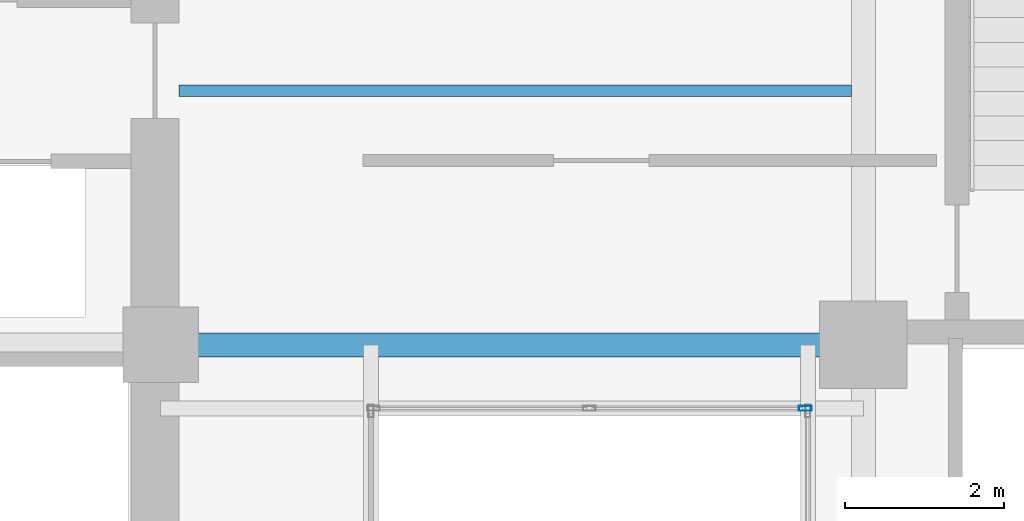
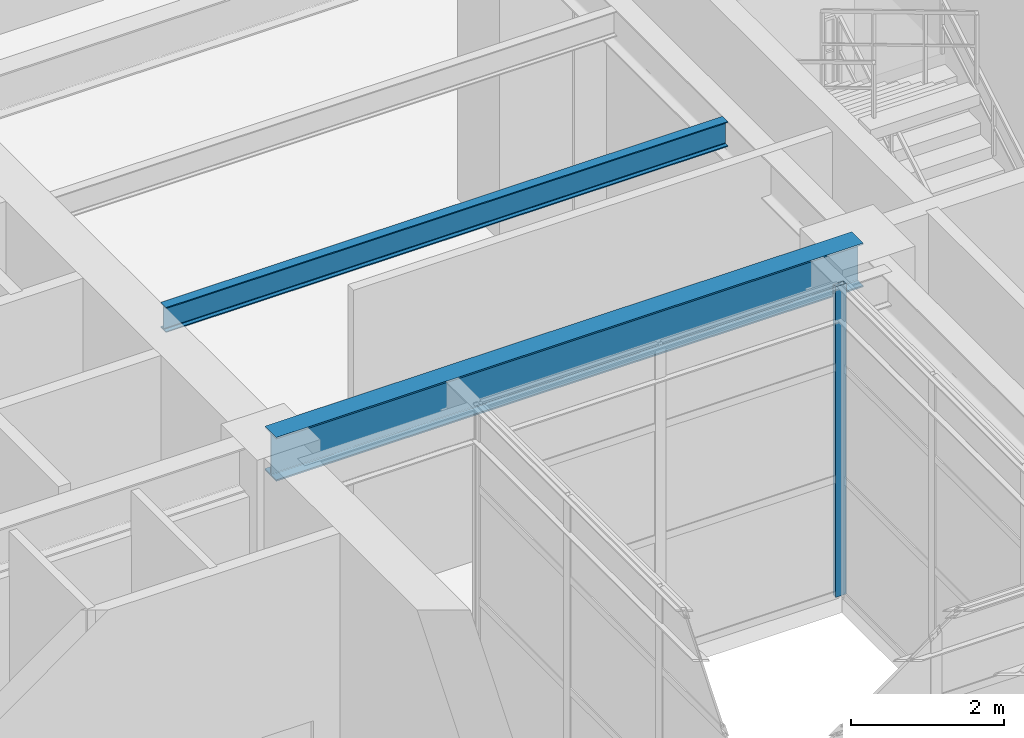
# One storey, part 3 of 13: 2 beams, 1 member, 1 element without a shape of its own.
"""IFC4 building model written with IfcOpenShell, lengths in metres."""

from ifc_helpers import new_model, si_unit, direction, frame, origin, origin_2d, place, context, subcontext, project, spatial, hollow_rectangle, i_section, extrude, material, layer, layer_set, material_profile, profile_set, type_object, element, aggregate, save


model = new_model("IFC4")

# Units and contexts
model_context = context("Model", 3, precision=1e-05, world=origin(), true_north=direction((0.0, 1.0)))
body_context = subcontext(model_context, "Body", "Model", "MODEL_VIEW")
ifc_project = project(units=[si_unit("LENGTHUNIT", "METRE"), si_unit("AREAUNIT", "SQUARE_METRE"), si_unit("VOLUMEUNIT", "CUBIC_METRE"), si_unit("PLANEANGLEUNIT", "RADIAN"), si_unit("MASSUNIT", "GRAM", prefix="KILO")], contexts=[model_context])

# Site, building, storey
site_placement = place(None, origin())
site = spatial("IfcSite", under=ifc_project, at=site_placement, CompositionType="ELEMENT")
building_placement = place(site_placement, origin())
building = spatial("IfcBuilding", under=site, at=building_placement, Name="Kundavana Baori Tower", CompositionType="ELEMENT")
storey_placement = place(building_placement, frame((0.0, 0.0, 98.800048828125)))
storey = spatial("IfcBuildingStorey", under=building, at=storey_placement, Name="L23", CompositionType="ELEMENT", Elevation=98.800048828125)

# Beams
ifc_material_1 = material(Name="Structural Steel S355JR", Category="steel")
ifc_material_profile_1 = material_profile(ifc_material_1, i_section(OverallWidth=0.139892578125, OverallDepth=0.39990234375, WebThickness=0.0087890625, FlangeThickness=0.01611328125, FilletRadius=0.013916015625, at=origin_2d()), Name="ISMB 400")
ifc_profile_set_1 = profile_set([ifc_material_profile_1], Name="Structural Steel S355JR")
beam_type_1 = type_object("IfcBeamType", Name="BM-JST-400", PredefinedType="JOIST", material=ifc_profile_set_1)
beam_1_placement = place(storey_placement, frame((25.179931640625, 36.199951171875, 4.75), z_axis=(1.0, 0.0, 0.0), x_axis=(0.0, 1.0, 0.0)))
element("IfcBeam", 1, at=beam_1_placement, inside=storey, type_object=beam_type_1, Name="L23 Central Bay Composite Floor Joist C3", PredefinedType="JOIST", context=body_context, shape_type="SweptSolid", body=[
    extrude(i_section(OverallWidth=0.139892578125, OverallDepth=0.39990234375, WebThickness=0.0087890625, FlangeThickness=0.01611328125, FilletRadius=0.013916015625, at=origin_2d()), origin(), (0.0, 0.0, 1.0), 8.469970703125),
])
ifc_material_2 = material(Name="Structural Steel S355JR", Category="steel")
ifc_material_profile_2 = material_profile(ifc_material_2, i_section(OverallWidth=0.300048828125, OverallDepth=0.699951171875, WebThickness=0.014404296875, FlangeThickness=0.02392578125, FilletRadius=0.02392578125, at=origin_2d()), Name="NPB 700x300x170")
ifc_profile_set_2 = profile_set([ifc_material_profile_2], Name="Structural Steel S355JR")
beam_type_2 = type_object("IfcBeamType", Name="BM-ST-700", PredefinedType="BEAM", material=ifc_profile_set_2)
beam_2_placement = place(storey_placement, frame((24.949951171875, 33.0, 4.599853515625), z_axis=(1.0, 0.0, 0.0), x_axis=(0.0, 1.0, 0.0)))
element("IfcBeam", 2, at=beam_2_placement, inside=storey, type_object=beam_type_2, Name="L23 Primary Grid Girder GX-3-2", PredefinedType="BEAM", context=body_context, shape_type="SweptSolid", body=[
    extrude(i_section(OverallWidth=0.300048828125, OverallDepth=0.699951171875, WebThickness=0.014404296875, FlangeThickness=0.02392578125, FilletRadius=0.02392578125, at=origin_2d()), origin(), (0.0, 0.0, 1.0), 8.85009765625),
])

# Curtain wall, member
ifc_material_3 = material(Name="Thermally Broken Anodised Aluminium Framing", Category="aluminium")
ifc_layer = layer(ifc_material_3, 0.205078125, Name="CW-SYS-4")
ifc_layer_set = layer_set([ifc_layer], Name="Thermally Broken Anodised Aluminium Framing")
curtain_wall_type = type_object("IfcCurtainWallType", Name="CW-SYS-4", PredefinedType="NOTDEFINED", material=ifc_layer_set)
curtain_wall_placement = place(storey_placement, origin())
curtain_wall = element("IfcCurtainWall", 3, at=curtain_wall_placement, inside=storey, type_object=curtain_wall_type, Name="L23 Atrium Glazed Curtain Wall N", PredefinedType="NOTDEFINED")
ifc_material_4 = material(Name="Thermally Broken Anodised Aluminium Framing", Category="aluminium")
ifc_material_profile_3 = material_profile(ifc_material_4, hollow_rectangle(XDim=0.06494140625, YDim=0.159912109375, WallThickness=0.00390625, at=origin_2d()), Name="CW-MULL-160")
ifc_profile_set_3 = profile_set([ifc_material_profile_3], Name="Thermally Broken Anodised Aluminium Framing")
member_type = type_object("IfcMemberType", Name="CW-MULL-160", PredefinedType="MULLION", material=ifc_profile_set_3)
member_placement = place(storey_placement, frame((33.0673828125, 32.199951171875, 0.0), z_axis=(0.0, 0.0, 1.0), x_axis=(0.0, -1.0, 0.0)))
member = element("IfcMember", 4, at=member_placement, type_object=member_type, Name="CW4 mullion 1", PredefinedType="MULLION", context=body_context, shape_type="SweptSolid", body=[
    extrude(hollow_rectangle(XDim=0.06494140625, YDim=0.159912109375, WallThickness=0.00390625, at=origin_2d()), origin(), (0.0, 0.0, 1.0), 4.949951171875),
])
aggregate(curtain_wall, [member])

save(model, "model.ifc")
